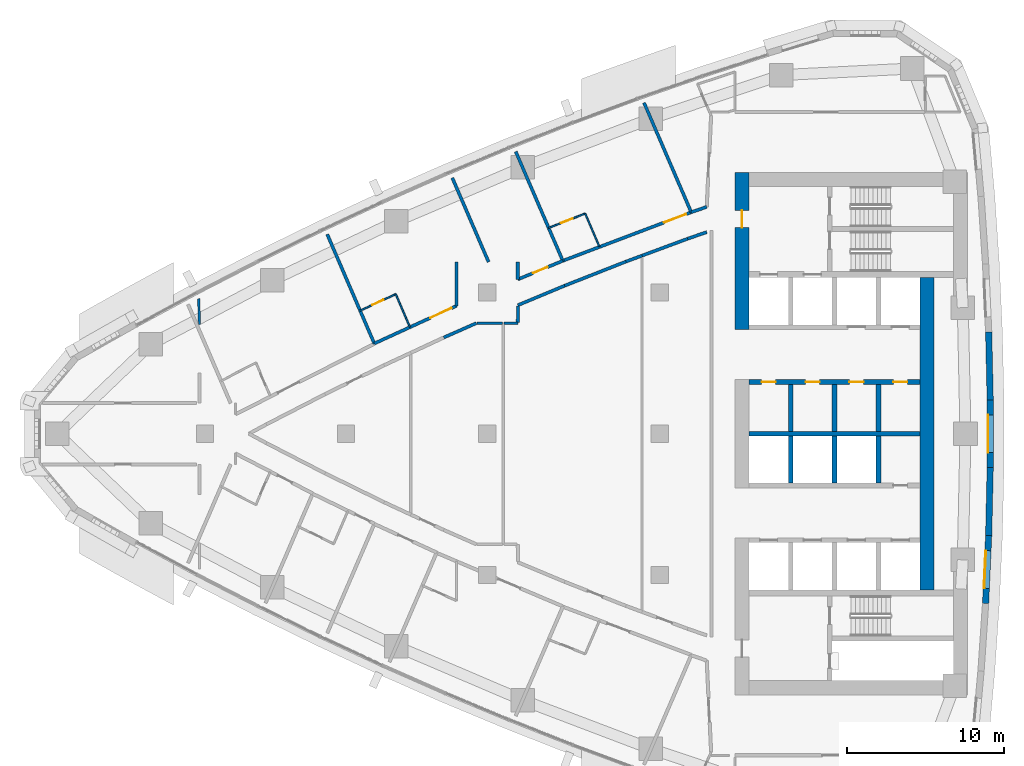
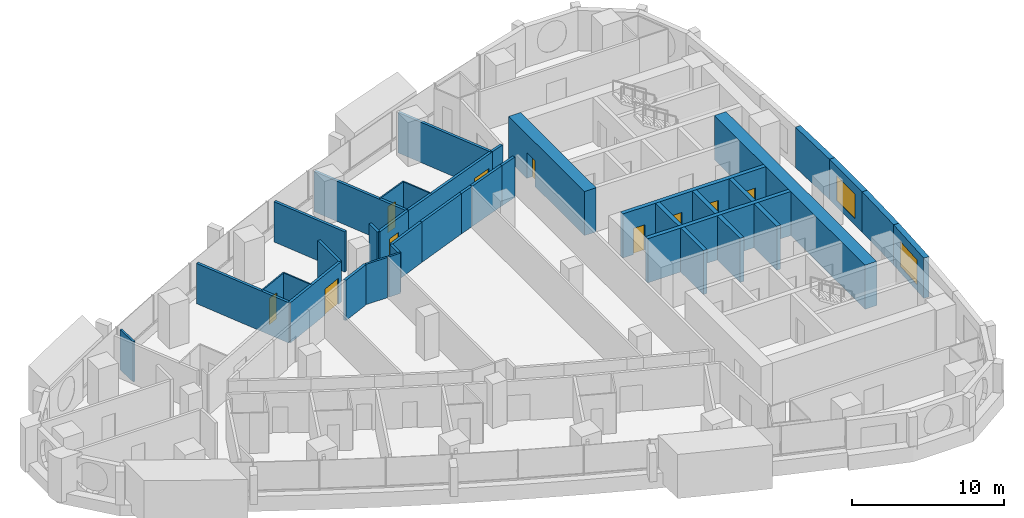
# One storey, part 11 of 17: 38 walls, 10 doors, 2 windows, 12 openings.
"""IFC4 building model written with IfcOpenShell, lengths in metres."""

from ifc_helpers import new_model, si_unit, direction, frame, frame_2d, origin, place, context, subcontext, project, spatial, polyline, rectangle, outline, extrude, material, layer, layer_set, type_object, element, fill, save


model = new_model("IFC4")

# Units and contexts
model_context = context("Model", 3, precision=1e-05, world=origin(), true_north=direction((0.0, 1.0)))
body_context = subcontext(model_context, "Body", "Model", "MODEL_VIEW")
ifc_project = project(units=[si_unit("LENGTHUNIT", "METRE"), si_unit("AREAUNIT", "SQUARE_METRE"), si_unit("VOLUMEUNIT", "CUBIC_METRE"), si_unit("PLANEANGLEUNIT", "RADIAN"), si_unit("MASSUNIT", "GRAM", prefix="KILO")], contexts=[model_context])

# Site, building, storey
site_placement = place(None, origin())
site = spatial("IfcSite", under=ifc_project, at=site_placement, CompositionType="ELEMENT")
building_placement = place(site_placement, origin())
building = spatial("IfcBuilding", under=site, at=building_placement, Name="Ostrand Prow Hotel Tower", CompositionType="ELEMENT")
storey_placement = place(building_placement, frame((0.0, 0.0, 155.050048828125)))
storey = spatial("IfcBuildingStorey", under=building, at=storey_placement, Name="L38", CompositionType="ELEMENT", Elevation=155.050048828125)

# Wall
ifc_material_1 = material(Name="Concrete C70/85", Category="concrete")
ifc_layer_1 = layer(ifc_material_1, 0.300048828125)
ifc_layer_set_1 = layer_set([ifc_layer_1], Name="Concrete C70/85")
wall_type_1 = type_object("IfcWallType", Name="Core wall 300 C70/85", PredefinedType="SHEAR", material=ifc_layer_set_1)
wall_1_placement = place(storey_placement, frame((50.699951171875, 0.0, 0.0), z_axis=(0.0, 0.0, 1.0), x_axis=(1.0, 0.0, 0.0)))
element("IfcWall", 1, at=wall_1_placement, inside=storey, type_object=wall_type_1, Name="Core wall PW-C", PredefinedType="SHEAR", context=body_context, shape_type="SweptSolid", body=[
    extrude(rectangle(XDim=10.900146484375, YDim=0.300048828125, at=frame_2d((5.4501953125, 0.0))), origin(), (0.0, 0.0, 1.0), 3.550048828125),
])

# Wall, openings, doors
wall_2_placement = place(storey_placement, frame((50.699951171875, 3.300048828125, 0.0), z_axis=(0.0, 0.0, 1.0), x_axis=(1.0, 0.0, 0.0)))
wall_2 = element("IfcWall", 2, at=wall_2_placement, inside=storey, type_object=wall_type_1, Name="Core wall PW-L1-N", PredefinedType="SHEAR", context=body_context, shape_type="SweptSolid", body=[
    extrude(rectangle(XDim=10.900146484375, YDim=0.300048828125, at=frame_2d((5.4501953125, 0.0))), origin(), (0.0, 0.0, 1.0), 3.550048828125),
])
opening_1_placement = place(wall_2_placement, frame((0.800048828125, 0.0, 0.0)))
opening_1 = element("IfcOpeningElement", 3, at=opening_1_placement, cuts=wall_2, Name="Opening FD2", PredefinedType="OPENING", context=body_context, shape_type="SweptSolid", body=[
    extrude(rectangle(XDim=0.89990234375, YDim=2.10009765625, at=frame_2d((0.449951171875, 1.050048828125))), frame((0.0, 0.159912109375, 0.0), z_axis=(0.0, -1.0, 0.0), x_axis=(1.0, 0.0, 0.0)), (0.0, 0.0, 1.0), 0.320068359375),
])
opening_2_placement = place(wall_2_placement, frame((3.60009765625, 0.0, 0.0)))
opening_2 = element("IfcOpeningElement", 4, at=opening_2_placement, cuts=wall_2, Name="Opening FD2", PredefinedType="OPENING", context=body_context, shape_type="SweptSolid", body=[
    extrude(rectangle(XDim=0.89990234375, YDim=2.10009765625, at=frame_2d((0.449951171875, 1.050048828125))), frame((0.0, 0.159912109375, 0.0), z_axis=(0.0, -1.0, 0.0), x_axis=(1.0, 0.0, 0.0)), (0.0, 0.0, 1.0), 0.320068359375),
])
opening_3_placement = place(wall_2_placement, frame((6.39990234375, 0.0, 0.0)))
opening_3 = element("IfcOpeningElement", 5, at=opening_3_placement, cuts=wall_2, Name="Opening FD2", PredefinedType="OPENING", context=body_context, shape_type="SweptSolid", body=[
    extrude(rectangle(XDim=0.89990234375, YDim=2.10009765625, at=frame_2d((0.449951171875, 1.050048828125))), frame((0.0, 0.159912109375, 0.0), z_axis=(0.0, -1.0, 0.0), x_axis=(1.0, 0.0, 0.0)), (0.0, 0.0, 1.0), 0.320068359375),
])
opening_4_placement = place(wall_2_placement, frame((9.199951171875, 0.0, 0.0)))
opening_4 = element("IfcOpeningElement", 6, at=opening_4_placement, cuts=wall_2, Name="Opening FD2", PredefinedType="OPENING", context=body_context, shape_type="SweptSolid", body=[
    extrude(rectangle(XDim=0.89990234375, YDim=2.10009765625, at=frame_2d((0.449951171875, 1.050048828125))), frame((0.0, 0.159912109375, 0.0), z_axis=(0.0, -1.0, 0.0), x_axis=(1.0, 0.0, 0.0)), (0.0, 0.0, 1.0), 0.320068359375),
])
ifc_material_2 = material(Name="Steel fire door", Category="steel")
door_type_1 = type_object("IfcDoorType", Name="Fire door 900 EI120", OperationType="SINGLE_SWING_LEFT", PredefinedType="DOOR", material=ifc_material_2)
door_1_placement = place(opening_1_placement, origin())
door_1 = element("IfcDoor", 7, at=door_1_placement, inside=storey, type_object=door_type_1, Name="DOOR", OperationType="SINGLE_SWING_LEFT", OverallHeight=2.10009765625, OverallWidth=0.89990234375, PredefinedType="DOOR", context=body_context, shape_type="SweptSolid", body=[
    extrude(rectangle(XDim=0.89990234375, YDim=2.10009765625, at=frame_2d((0.449951171875, 1.050048828125))), frame((0.0, 0.02490234375, 0.0), z_axis=(0.0, -1.0, 0.0), x_axis=(1.0, 0.0, 0.0)), (0.0, 0.0, 1.0), 0.050048828125),
])
fill(opening_1, door_1)
door_2_placement = place(opening_2_placement, origin())
door_2 = element("IfcDoor", 8, at=door_2_placement, inside=storey, type_object=door_type_1, Name="DOOR", OperationType="SINGLE_SWING_LEFT", OverallHeight=2.10009765625, OverallWidth=0.89990234375, PredefinedType="DOOR", context=body_context, shape_type="SweptSolid", body=[
    extrude(rectangle(XDim=0.89990234375, YDim=2.10009765625, at=frame_2d((0.449951171875, 1.050048828125))), frame((0.0, 0.02490234375, 0.0), z_axis=(0.0, -1.0, 0.0), x_axis=(1.0, 0.0, 0.0)), (0.0, 0.0, 1.0), 0.050048828125),
])
fill(opening_2, door_2)
door_3_placement = place(opening_3_placement, origin())
door_3 = element("IfcDoor", 9, at=door_3_placement, inside=storey, type_object=door_type_1, Name="DOOR", OperationType="SINGLE_SWING_LEFT", OverallHeight=2.10009765625, OverallWidth=0.89990234375, PredefinedType="DOOR", context=body_context, shape_type="SweptSolid", body=[
    extrude(rectangle(XDim=0.89990234375, YDim=2.10009765625, at=frame_2d((0.449951171875, 1.050048828125))), frame((0.0, 0.02490234375, 0.0), z_axis=(0.0, -1.0, 0.0), x_axis=(1.0, 0.0, 0.0)), (0.0, 0.0, 1.0), 0.050048828125),
])
fill(opening_3, door_3)
door_4_placement = place(opening_4_placement, origin())
door_4 = element("IfcDoor", 10, at=door_4_placement, inside=storey, type_object=door_type_1, Name="DOOR", OperationType="SINGLE_SWING_LEFT", OverallHeight=2.10009765625, OverallWidth=0.89990234375, PredefinedType="DOOR", context=body_context, shape_type="SweptSolid", body=[
    extrude(rectangle(XDim=0.89990234375, YDim=2.10009765625, at=frame_2d((0.449951171875, 1.050048828125))), frame((0.0, 0.02490234375, 0.0), z_axis=(0.0, -1.0, 0.0), x_axis=(1.0, 0.0, 0.0)), (0.0, 0.0, 1.0), 0.050048828125),
])
fill(opening_4, door_4)

# Walls
for number, where, z_axis, x_axis, name in (
    (11, (53.35009765625, 0.14990234375, 0.0), (0.0, 0.0, 1.0), (0.0, 1.0, 0.0), "Core wall PW-R1-NB"),
    (12, (56.14990234375, 0.14990234375, 0.0), (0.0, 0.0, 1.0), (0.0, 1.0, 0.0), "Core wall PW-R2-NB"),
    (13, (58.949951171875, 0.14990234375, 0.0), (0.0, 0.0, 1.0), (0.0, 1.0, 0.0), "Core wall PW-R3-NB"),
    (14, (53.35009765625, -3.14990234375, 0.0), (0.0, 0.0, 1.0), (0.0, 1.0, 0.0), "Core wall PW-R1-SB"),
    (15, (56.14990234375, -3.14990234375, 0.0), (0.0, 0.0, 1.0), (0.0, 1.0, 0.0), "Core wall PW-R2-SB"),
    (16, (58.949951171875, -3.14990234375, 0.0), (0.0, 0.0, 1.0), (0.0, 1.0, 0.0), "Core wall PW-R3-SB"),
):
    element("IfcWall", number, at=place(storey_placement, frame(where, z_axis=z_axis, x_axis=x_axis)), inside=storey, type_object=wall_type_1, Name=name, PredefinedType="SHEAR", context=body_context, shape_type="SweptSolid", body=[
        extrude(rectangle(XDim=3.0, YDim=0.300048828125, at=frame_2d((1.5, 0.0))), origin(), (0.0, 0.0, 1.0), 3.550048828125),
    ])

# Wall, opening, door
ifc_material_3 = material(Name="Concrete C70/85", Category="concrete")
ifc_layer_2 = layer(ifc_material_3, 0.89990234375)
ifc_layer_set_2 = layer_set([ifc_layer_2], Name="Concrete C70/85")
wall_type_2 = type_object("IfcWallType", Name="Core wall 900 C70/85", PredefinedType="SHEAR", material=ifc_layer_set_2)
wall_3_placement = place(storey_placement, frame((50.25, 6.64990234375, 0.0), z_axis=(0.0, 0.0, 1.0), x_axis=(0.0, 1.0, 0.0)))
wall_3 = element("IfcWall", 17, at=wall_3_placement, inside=storey, type_object=wall_type_2, Name="Core wall CW-W-N", PredefinedType="SHEAR", context=body_context, shape_type="SweptSolid", body=[
    extrude(rectangle(XDim=10.0, YDim=0.89990234375, at=frame_2d((5.0, 0.0))), origin(), (0.0, 0.0, 1.0), 3.550048828125),
])
opening_5_placement = place(wall_3_placement, frame((6.5, 0.0, 0.0)))
opening_5 = element("IfcOpeningElement", 18, at=opening_5_placement, cuts=wall_3, Name="Opening FD1", PredefinedType="OPENING", context=body_context, shape_type="SweptSolid", body=[
    extrude(rectangle(XDim=1.10009765625, YDim=2.10009765625, at=frame_2d((0.550048828125, 1.050048828125))), frame((0.0, 0.4599609375, 0.0), z_axis=(0.0, -1.0, 0.0), x_axis=(1.0, 0.0, 0.0)), (0.0, 0.0, 1.0), 0.919921875),
])
ifc_material_4 = material(Name="Steel fire door", Category="steel")
door_type_2 = type_object("IfcDoorType", Name="Fire door 1100 EI120", OperationType="SINGLE_SWING_RIGHT", PredefinedType="DOOR", material=ifc_material_4)
door_5_placement = place(opening_5_placement, origin())
door_5 = element("IfcDoor", 19, at=door_5_placement, inside=storey, type_object=door_type_2, Name="FIRE DOOR", OperationType="SINGLE_SWING_RIGHT", OverallHeight=2.10009765625, OverallWidth=1.10009765625, PredefinedType="DOOR", context=body_context, shape_type="SweptSolid", body=[
    extrude(rectangle(XDim=1.10009765625, YDim=2.10009765625, at=frame_2d((0.550048828125, 1.050048828125))), frame((0.0, 0.02490234375, 0.0), z_axis=(0.0, -1.0, 0.0), x_axis=(1.0, 0.0, 0.0)), (0.0, 0.0, 1.0), 0.050048828125),
])
fill(opening_5, door_5)

# Wall
wall_4_placement = place(storey_placement, frame((62.050048828125, -9.949951171875, 0.0), z_axis=(0.0, 0.0, 1.0), x_axis=(0.0, 1.0, 0.0)))
element("IfcWall", 20, at=wall_4_placement, inside=storey, type_object=wall_type_2, Name="Core wall CW-E-C", PredefinedType="SHEAR", context=body_context, shape_type="SweptSolid", body=[
    extrude(rectangle(XDim=19.89990234375, YDim=0.89990234375, at=frame_2d((9.949951171875, 0.0))), origin(), (0.0, 0.0, 1.0), 3.550048828125),
])

# Wall, opening, door
ifc_material_5 = material(Name="Plasterboard partition")
ifc_layer_3 = layer(ifc_material_5, 0.10009765625)
ifc_layer_set_3 = layer_set([ifc_layer_3], Name="Plasterboard partition")
wall_type_3 = type_object("IfcWallType", Name="Partition 100 bathroom wall", PredefinedType="PARTITIONING", material=ifc_layer_set_3)
wall_5_placement = place(storey_placement, frame((25.900146484375, 7.847412109375, 0.0), z_axis=(0.0, 0.0, 1.0), x_axis=(0.906813113059, 0.421532890751, 0.0)))
wall_5 = element("IfcWall", 21, at=wall_5_placement, inside=storey, type_object=wall_type_3, Name="BATHROOM WALL", PredefinedType="PARTITIONING", context=body_context, shape_type="SweptSolid", body=[
    extrude(rectangle(XDim=2.5009765625, YDim=0.10009765625, at=frame_2d((1.25048828125, 0.0))), origin(), (0.0, 0.0, 1.0), 3.25),
])
opening_6_placement = place(wall_5_placement, frame((0.85009765625, 0.0, 0.0)))
opening_6 = element("IfcOpeningElement", 22, at=opening_6_placement, cuts=wall_5, Name="Opening D2", PredefinedType="OPENING", context=body_context, shape_type="SweptSolid", body=[
    extrude(rectangle(XDim=0.800048828125, YDim=2.10009765625, at=frame_2d((0.39990234375, 1.050048828125))), frame((0.0, 0.06005859375, 0.0), z_axis=(0.0, -1.0, 0.0), x_axis=(1.0, 0.0, 0.0)), (0.0, 0.0, 1.0), 0.1201171875),
])
ifc_material_6 = material(Name="Timber door leaf", Category="wood")
door_type_3 = type_object("IfcDoorType", Name="Bathroom door 800", OperationType="SINGLE_SWING_LEFT", PredefinedType="DOOR", material=ifc_material_6)
door_6_placement = place(opening_6_placement, origin())
door_6 = element("IfcDoor", 23, at=door_6_placement, inside=storey, type_object=door_type_3, Name="DOOR", OperationType="SINGLE_SWING_LEFT", OverallHeight=2.10009765625, OverallWidth=0.800048828125, PredefinedType="DOOR", context=body_context, shape_type="SweptSolid", body=[
    extrude(rectangle(XDim=0.800048828125, YDim=2.10009765625, at=frame_2d((0.39990234375, 1.050048828125))), frame((0.0, 0.02490234375, 0.0), z_axis=(0.0, -1.0, 0.0), x_axis=(1.0, 0.0, 0.0)), (0.0, 0.0, 1.0), 0.050048828125),
])
fill(opening_6, door_6)

# Wall
wall_6_placement = place(storey_placement, frame((28.16796875, 8.901611328125, 0.0), z_axis=(0.0, 0.0, 1.0), x_axis=(0.396000751487, -0.918250186399, 0.0)))
element("IfcWall", 24, at=wall_6_placement, inside=storey, type_object=wall_type_3, Name="BATHROOM WALL", PredefinedType="PARTITIONING", context=body_context, shape_type="SweptSolid", body=[
    extrude(rectangle(XDim=2.278076171875, YDim=0.10009765625, at=frame_2d((1.13916015625, 0.0))), origin(), (0.0, 0.0, 1.0), 3.25),
])

# Wall, opening, door
wall_7_placement = place(storey_placement, frame((37.921142578125, 13.122314453125, 0.0), z_axis=(0.0, 0.0, 1.0), x_axis=(0.930555592459, 0.366150637503, 0.0)))
wall_7 = element("IfcWall", 25, at=wall_7_placement, inside=storey, type_object=wall_type_3, Name="BATHROOM WALL", PredefinedType="PARTITIONING", context=body_context, shape_type="SweptSolid", body=[
    extrude(rectangle(XDim=2.5009765625, YDim=0.10009765625, at=frame_2d((1.25048828125, 0.0))), origin(), (0.0, 0.0, 1.0), 3.25),
])
opening_7_placement = place(wall_7_placement, frame((0.85009765625, 0.0, 0.0)))
opening_7 = element("IfcOpeningElement", 26, at=opening_7_placement, cuts=wall_7, Name="Opening D2", PredefinedType="OPENING", context=body_context, shape_type="SweptSolid", body=[
    extrude(rectangle(XDim=0.800048828125, YDim=2.10009765625, at=frame_2d((0.39990234375, 1.050048828125))), frame((0.0, 0.06005859375, 0.0), z_axis=(0.0, -1.0, 0.0), x_axis=(1.0, 0.0, 0.0)), (0.0, 0.0, 1.0), 0.1201171875),
])
door_7_placement = place(opening_7_placement, origin())
door_7 = element("IfcDoor", 27, at=door_7_placement, inside=storey, type_object=door_type_3, Name="DOOR", OperationType="SINGLE_SWING_LEFT", OverallHeight=2.10009765625, OverallWidth=0.800048828125, PredefinedType="DOOR", context=body_context, shape_type="SweptSolid", body=[
    extrude(rectangle(XDim=0.800048828125, YDim=2.10009765625, at=frame_2d((0.39990234375, 1.050048828125))), frame((0.0, 0.02490234375, 0.0), z_axis=(0.0, -1.0, 0.0), x_axis=(1.0, 0.0, 0.0)), (0.0, 0.0, 1.0), 0.050048828125),
])
fill(opening_7, door_7)

# Walls
wall_8_placement = place(storey_placement, frame((40.248779296875, 14.0380859375, 0.0), z_axis=(0.0, 0.0, 1.0), x_axis=(0.39596178423, -0.918266990275, 0.0)))
element("IfcWall", 28, at=wall_8_placement, inside=storey, type_object=wall_type_3, Name="BATHROOM WALL", PredefinedType="PARTITIONING", context=body_context, shape_type="SweptSolid", body=[
    extrude(rectangle(XDim=2.2783203125, YDim=0.10009765625, at=frame_2d((1.13916015625, 0.0))), origin(), (0.0, 0.0, 1.0), 3.25),
])
ifc_material_7 = material(Name="Plasterboard partition")
ifc_layer_4 = layer(ifc_material_7, 0.14990234375)
ifc_layer_set_4 = layer_set([ifc_layer_4], Name="Plasterboard partition")
wall_type_4 = type_object("IfcWallType", Name="Partition 150 room partition", PredefinedType="PARTITIONING", material=ifc_layer_set_4)
wall_9_placement = place(storey_placement, frame((15.603759765625, 8.60888671875, 0.0), z_axis=(0.0, 0.0, 1.0), x_axis=(0.033196927484, -0.999448830109, 0.0)))
element("IfcWall", 29, at=wall_9_placement, inside=storey, type_object=wall_type_4, Name="ROOM PARTITION", PredefinedType="PARTITIONING", context=body_context, shape_type="SweptSolid", body=[
    extrude(rectangle(XDim=1.65478515625, YDim=0.14990234375, at=frame_2d((0.827392578125, 0.0))), origin(), (0.0, 0.0, 1.0), 3.25),
])
wall_10_placement = place(storey_placement, frame((33.347412109375, 7.044921875, 0.0), z_axis=(0.0, 0.0, 1.0), x_axis=(1.0, 0.0, 0.0)))
element("IfcWall", 30, at=wall_10_placement, inside=storey, type_object=wall_type_4, Name="ROOM PARTITION", PredefinedType="PARTITIONING", context=body_context, shape_type="SweptSolid", body=[
    extrude(rectangle(XDim=1.643798828125, YDim=0.14990234375, at=frame_2d((0.82177734375, 0.0))), origin(), (0.0, 0.0, 1.0), 3.25),
])
wall_11_placement = place(storey_placement, frame((35.0712890625, 7.045166015625, 0.0), z_axis=(0.0, 0.0, 1.0), x_axis=(0.999998125229, 0.00193637258, 0.0)))
element("IfcWall", 31, at=wall_11_placement, inside=storey, type_object=wall_type_4, Name="ROOM PARTITION", PredefinedType="PARTITIONING", context=body_context, shape_type="SweptSolid", body=[
    extrude(rectangle(XDim=0.882568359375, YDim=0.14990234375, at=frame_2d((0.44140625, 0.0))), origin(), (0.0, 0.0, 1.0), 3.25),
])

# Wall, opening, door
ifc_material_8 = material(Name="Plasterboard partition")
ifc_layer_5 = layer(ifc_material_8, 0.199951171875)
ifc_layer_set_5 = layer_set([ifc_layer_5], Name="Plasterboard partition")
wall_type_5 = type_object("IfcWallType", Name="Partition 200 corridor wall", PredefinedType="PARTITIONING", material=ifc_layer_set_5)
wall_12_placement = place(storey_placement, frame((32.050048828125, 8.15673828125, 0.0), z_axis=(0.0, 0.0, 1.0), x_axis=(-0.909129571014, -0.41651341288, 0.0)))
wall_12 = element("IfcWall", 32, at=wall_12_placement, inside=storey, type_object=wall_type_5, Name="CORRIDOR WALL", PredefinedType="PARTITIONING", context=body_context, shape_type="SweptSolid", body=[
    extrude(rectangle(XDim=5.771240234375, YDim=0.199951171875, at=frame_2d((2.8857421875, 0.0))), origin(), (0.0, 0.0, 1.0), 3.25),
])
opening_8_placement = place(wall_12_placement, frame((0.35009765625, 0.0, 0.0)))
opening_8 = element("IfcOpeningElement", 33, at=opening_8_placement, cuts=wall_12, Name="Opening D15", PredefinedType="OPENING", context=body_context, shape_type="SweptSolid", body=[
    extrude(rectangle(XDim=1.5, YDim=2.10009765625, at=frame_2d((0.75, 1.050048828125))), frame((0.0, 0.10986328125, 0.0), z_axis=(0.0, -1.0, 0.0), x_axis=(1.0, 0.0, 0.0)), (0.0, 0.0, 1.0), 0.219970703125),
])
ifc_material_9 = material(Name="Timber door leaf", Category="wood")
door_type_4 = type_object("IfcDoorType", Name="Double door 1500", OperationType="DOUBLE_DOOR_SINGLE_SWING", PredefinedType="DOOR", material=ifc_material_9)
door_8_placement = place(opening_8_placement, origin())
door_8 = element("IfcDoor", 34, at=door_8_placement, inside=storey, type_object=door_type_4, Name="DOOR", OperationType="DOUBLE_DOOR_SINGLE_SWING", OverallHeight=2.10009765625, OverallWidth=1.5, PredefinedType="DOOR", context=body_context, shape_type="SweptSolid", body=[
    extrude(rectangle(XDim=1.5, YDim=2.10009765625, at=frame_2d((0.75, 1.050048828125))), frame((0.0, 0.02490234375, 0.0), z_axis=(0.0, -1.0, 0.0), x_axis=(1.0, 0.0, 0.0)), (0.0, 0.0, 1.0), 0.050048828125),
])
fill(opening_8, door_8)

wall_13_placement = place(storey_placement, frame((38.824462890625, 11.027587890625, 0.0), z_axis=(0.0, 0.0, 1.0), x_axis=(-0.924238544028, -0.381815549359, 0.0)))
wall_13 = element("IfcWall", 35, at=wall_13_placement, inside=storey, type_object=wall_type_5, Name="CORRIDOR WALL", PredefinedType="PARTITIONING", context=body_context, shape_type="SweptSolid", body=[
    extrude(rectangle(XDim=3.110107421875, YDim=0.199951171875, at=frame_2d((1.55517578125, 0.0))), origin(), (0.0, 0.0, 1.0), 3.25),
])
opening_9_placement = place(wall_13_placement, frame((1.054931640625, 0.0, 0.0)))
opening_9 = element("IfcOpeningElement", 36, at=opening_9_placement, cuts=wall_13, Name="Opening D1", PredefinedType="OPENING", context=body_context, shape_type="SweptSolid", body=[
    extrude(rectangle(XDim=1.0, YDim=2.10009765625, at=frame_2d((0.5, 1.050048828125))), frame((0.0, 0.10986328125, 0.0), z_axis=(0.0, -1.0, 0.0), x_axis=(1.0, 0.0, 0.0)), (0.0, 0.0, 1.0), 0.219970703125),
])
ifc_material_10 = material(Name="Timber door leaf", Category="wood")
door_type_5 = type_object("IfcDoorType", Name="Guest room door 1000", OperationType="SINGLE_SWING_LEFT", PredefinedType="DOOR", material=ifc_material_10)
door_9_placement = place(opening_9_placement, origin())
door_9 = element("IfcDoor", 37, at=door_9_placement, inside=storey, type_object=door_type_5, Name="DOOR", OperationType="SINGLE_SWING_LEFT", OverallHeight=2.10009765625, OverallWidth=1.0, PredefinedType="DOOR", context=body_context, shape_type="SweptSolid", body=[
    extrude(rectangle(XDim=1.0, YDim=2.10009765625, at=frame_2d((0.5, 1.050048828125))), frame((0.0, 0.02490234375, 0.0), z_axis=(0.0, -1.0, 0.0), x_axis=(1.0, 0.0, 0.0)), (0.0, 0.0, 1.0), 0.050048828125),
])
fill(opening_9, door_9)

wall_14_placement = place(storey_placement, frame((47.012451171875, 14.123779296875, 0.0), z_axis=(0.0, 0.0, 1.0), x_axis=(-0.935360585256, -0.353695597299, 0.0)))
wall_14 = element("IfcWall", 38, at=wall_14_placement, inside=storey, type_object=wall_type_5, Name="CORRIDOR WALL", PredefinedType="PARTITIONING", context=body_context, shape_type="SweptSolid", body=[
    extrude(rectangle(XDim=8.75390625, YDim=0.199951171875, at=frame_2d((4.376953125, 0.0))), origin(), (0.0, 0.0, 1.0), 3.25),
])
opening_10_placement = place(wall_14_placement, frame((0.35009765625, 0.0, 0.0)))
opening_10 = element("IfcOpeningElement", 39, at=opening_10_placement, cuts=wall_14, Name="Opening D15", PredefinedType="OPENING", context=body_context, shape_type="SweptSolid", body=[
    extrude(rectangle(XDim=1.5, YDim=2.10009765625, at=frame_2d((0.75, 1.050048828125))), frame((0.0, 0.10986328125, 0.0), z_axis=(0.0, -1.0, 0.0), x_axis=(1.0, 0.0, 0.0)), (0.0, 0.0, 1.0), 0.219970703125),
])
door_10_placement = place(opening_10_placement, origin())
door_10 = element("IfcDoor", 40, at=door_10_placement, inside=storey, type_object=door_type_4, Name="DOOR", OperationType="DOUBLE_DOOR_SINGLE_SWING", OverallHeight=2.10009765625, OverallWidth=1.5, PredefinedType="DOOR", context=body_context, shape_type="SweptSolid", body=[
    extrude(rectangle(XDim=1.5, YDim=2.10009765625, at=frame_2d((0.75, 1.050048828125))), frame((0.0, 0.02490234375, 0.0), z_axis=(0.0, -1.0, 0.0), x_axis=(1.0, 0.0, 0.0)), (0.0, 0.0, 1.0), 0.050048828125),
])
fill(opening_10, door_10)

# Walls
wall_15_placement = place(storey_placement, frame((31.231201171875, 6.135009765625, 0.0), z_axis=(0.0, 0.0, 1.0), x_axis=(0.915102334452, 0.403221672881, 0.0)))
element("IfcWall", 41, at=wall_15_placement, inside=storey, type_object=wall_type_5, Name="CORRIDOR WALL", PredefinedType="PARTITIONING", context=body_context, shape_type="SweptSolid", body=[
    extrude(rectangle(XDim=2.269287109375, YDim=0.199951171875, at=frame_2d((1.134765625, 0.0))), origin(), (0.0, 0.0, 1.0), 3.25),
])
wall_16_placement = place(storey_placement, frame((35.949951171875, 8.193115234375, 0.0), z_axis=(0.0, 0.0, 1.0), x_axis=(0.923005630596, 0.384786441923, 0.0)))
element("IfcWall", 42, at=wall_16_placement, inside=storey, type_object=wall_type_5, Name="CORRIDOR WALL", PredefinedType="PARTITIONING", context=body_context, shape_type="SweptSolid", body=[
    extrude(rectangle(XDim=3.242919921875, YDim=0.199951171875, at=frame_2d((1.62158203125, 0.0))), origin(), (0.0, 0.0, 1.0), 3.25),
])
wall_17_placement = place(storey_placement, frame((38.943115234375, 9.44091796875, 0.0), z_axis=(0.0, 0.0, 1.0), x_axis=(0.930576677263, 0.36609704688, 0.0)))
element("IfcWall", 43, at=wall_17_placement, inside=storey, type_object=wall_type_5, Name="CORRIDOR WALL", PredefinedType="PARTITIONING", context=body_context, shape_type="SweptSolid", body=[
    extrude(rectangle(XDim=4.1953125, YDim=0.199951171875, at=frame_2d((2.09765625, 0.0))), origin(), (0.0, 0.0, 1.0), 3.25),
])
wall_18_placement = place(storey_placement, frame((42.84716796875, 10.976806640625, 0.0), z_axis=(0.0, 0.0, 1.0), x_axis=(0.93771926553, 0.347393982466, 0.0)))
element("IfcWall", 44, at=wall_18_placement, inside=storey, type_object=wall_type_5, Name="CORRIDOR WALL", PredefinedType="PARTITIONING", context=body_context, shape_type="SweptSolid", body=[
    extrude(rectangle(XDim=1.098388671875, YDim=0.199951171875, at=frame_2d((0.54931640625, 0.0))), origin(), (0.0, 0.0, 1.0), 3.25),
])
wall_19_placement = place(storey_placement, frame((43.877197265625, 11.3583984375, 0.0), z_axis=(0.0, 0.0, 1.0), x_axis=(0.937737348698, 0.347345166739, 0.0)))
element("IfcWall", 45, at=wall_19_placement, inside=storey, type_object=wall_type_5, Name="CORRIDOR WALL", PredefinedType="PARTITIONING", context=body_context, shape_type="SweptSolid", body=[
    extrude(rectangle(XDim=3.096923828125, YDim=0.199951171875, at=frame_2d((1.54833984375, 0.0))), origin(), (0.0, 0.0, 1.0), 3.25),
])
wall_20_placement = place(storey_placement, frame((48.0, 14.467041015625, 0.0), z_axis=(0.0, 0.0, 1.0), x_axis=(-0.944566081842, -0.32832136244, 0.0)))
element("IfcWall", 46, at=wall_20_placement, inside=storey, type_object=wall_type_5, Name="CORRIDOR WALL", PredefinedType="PARTITIONING", context=body_context, shape_type="SweptSolid", body=[
    extrude(rectangle(XDim=1.04541015625, YDim=0.199951171875, at=frame_2d((0.522705078125, 0.0))), origin(), (0.0, 0.0, 1.0), 3.25),
])
wall_21_placement = place(storey_placement, frame((46.78125, 12.43408203125, 0.0), z_axis=(0.0, 0.0, 1.0), x_axis=(0.944517215109, 0.328461916152, 0.0)))
element("IfcWall", 47, at=wall_21_placement, inside=storey, type_object=wall_type_5, Name="CORRIDOR WALL", PredefinedType="PARTITIONING", context=body_context, shape_type="SweptSolid", body=[
    extrude(rectangle(XDim=1.290283203125, YDim=0.199951171875, at=frame_2d((0.64501953125, 0.0))), origin(), (0.0, 0.0, 1.0), 3.25),
])
wall_22_placement = place(storey_placement, frame((35.953857421875, 7.0869140625, 0.0), z_axis=(0.0, 0.0, 1.0), x_axis=(0.001144425893, 0.999999345144, 0.0)))
element("IfcWall", 48, at=wall_22_placement, inside=storey, type_object=wall_type_5, Name="CORRIDOR WALL", PredefinedType="PARTITIONING", context=body_context, shape_type="SweptSolid", body=[
    extrude(rectangle(XDim=1.066650390625, YDim=0.199951171875, at=frame_2d((0.533203125, 0.0))), origin(), (0.0, 0.0, 1.0), 3.25),
])
wall_23_placement = place(storey_placement, frame((32.046875, 10.953857421875, 0.0), z_axis=(0.0, 0.0, 1.0), x_axis=(0.001134676759, -0.999999356254, 0.0)))
element("IfcWall", 49, at=wall_23_placement, inside=storey, type_object=wall_type_5, Name="CORRIDOR WALL", PredefinedType="PARTITIONING", context=body_context, shape_type="SweptSolid", body=[
    extrude(rectangle(XDim=2.797119140625, YDim=0.199951171875, at=frame_2d((1.3984375, 0.0))), origin(), (0.0, 0.0, 1.0), 3.25),
])
wall_24_placement = place(storey_placement, frame((35.949951171875, 9.840087890625, 0.0), z_axis=(0.0, 0.0, 1.0), x_axis=(0.00262983969, 0.999996541966, 0.0)))
element("IfcWall", 50, at=wall_24_placement, inside=storey, type_object=wall_type_5, Name="CORRIDOR WALL", PredefinedType="PARTITIONING", context=body_context, shape_type="SweptSolid", body=[
    extrude(rectangle(XDim=1.114013671875, YDim=0.199951171875, at=frame_2d((0.55712890625, 0.0))), origin(), (0.0, 0.0, 1.0), 3.25),
])
ifc_material_11 = material(Name="Plasterboard partition")
ifc_layer_6 = layer(ifc_material_11, 0.199951171875)
ifc_layer_set_6 = layer_set([ifc_layer_6], Name="Plasterboard partition")
wall_type_6 = type_object("IfcWallType", Name="Partition 200 key partition", PredefinedType="PARTITIONING", material=ifc_layer_set_6)
wall_25_placement = place(storey_placement, frame((26.811279296875, 5.734619140625, 0.0), z_axis=(0.0, 0.0, 1.0), x_axis=(-0.395995556294, 0.918252426839, 0.0)))
element("IfcWall", 51, at=wall_25_placement, inside=storey, type_object=wall_type_6, Name="KEY PARTITION", PredefinedType="PARTITIONING", context=body_context, shape_type="SweptSolid", body=[
    extrude(rectangle(XDim=7.60302734375, YDim=0.199951171875, at=frame_2d((3.801513671875, 0.0))), origin(), (0.0, 0.0, 1.0), 3.25),
])
wall_26_placement = place(storey_placement, frame((34.091552734375, 10.949951171875, 0.0), z_axis=(0.0, 0.0, 1.0), x_axis=(-0.395991607501, 0.918254129742, 0.0)))
element("IfcWall", 52, at=wall_26_placement, inside=storey, type_object=wall_type_6, Name="KEY PARTITION", PredefinedType="PARTITIONING", context=body_context, shape_type="SweptSolid", body=[
    extrude(rectangle(XDim=5.841064453125, YDim=0.199951171875, at=frame_2d((2.92041015625, 0.0))), origin(), (0.0, 0.0, 1.0), 3.25),
])
wall_27_placement = place(storey_placement, frame((38.832275390625, 11.00927734375, 0.0), z_axis=(0.0, 0.0, 1.0), x_axis=(-0.395987603644, 0.918255856371, 0.0)))
element("IfcWall", 53, at=wall_27_placement, inside=storey, type_object=wall_type_6, Name="KEY PARTITION", PredefinedType="PARTITIONING", context=body_context, shape_type="SweptSolid", body=[
    extrude(rectangle(XDim=7.603759765625, YDim=0.199951171875, at=frame_2d((3.8017578125, 0.0))), origin(), (0.0, 0.0, 1.0), 3.25),
])
wall_28_placement = place(storey_placement, frame((47.0205078125, 14.105224609375, 0.0), z_axis=(0.0, 0.0, 1.0), x_axis=(-0.39600636385, 0.918247766014, 0.0)))
element("IfcWall", 54, at=wall_28_placement, inside=storey, type_object=wall_type_6, Name="KEY PARTITION", PredefinedType="PARTITIONING", context=body_context, shape_type="SweptSolid", body=[
    extrude(rectangle(XDim=7.6201171875, YDim=0.199951171875, at=frame_2d((3.81005859375, 0.0))), origin(), (0.0, 0.0, 1.0), 3.25),
])

# Wall, opening, window
ifc_material_12 = material(Name="Precast concrete C40/50", Category="concrete")
ifc_layer_7 = layer(ifc_material_12, 0.39990234375)
ifc_layer_set_7 = layer_set([ifc_layer_7], Name="Precast concrete C40/50")
wall_type_7 = type_object("IfcWallType", Name="Stone-faced precast wall 400 mm", PredefinedType="NOTDEFINED", material=ifc_layer_set_7)
wall_29_placement = place(storey_placement, frame((65.781982421875, -10.81689453125, 0.0), z_axis=(0.0, 0.0, 1.0), x_axis=(0.045228592312, 0.99897666361, 0.0)))
wall_29 = element("IfcWall", 55, at=wall_29_placement, inside=storey, type_object=wall_type_7, Name="Stone-faced wall back 7", PredefinedType="NOTDEFINED", context=body_context, shape_type="SweptSolid", body=[
    extrude(outline(polyline([(-0.002197265625, -0.199951171875), (4.331298828125, -0.199951171875), (4.326904296875, 0.199951171875), (0.002197265625, 0.199951171875), (-0.002197265625, -0.199951171875)])), origin(), (0.0, 0.0, 1.0), 3.25),
])
opening_11_placement = place(wall_29_placement, frame((0.964599609375, 0.0, 0.5)))
opening_11 = element("IfcOpeningElement", 56, at=opening_11_placement, cuts=wall_29, Name="Opening WA1", PredefinedType="OPENING", context=body_context, shape_type="SweptSolid", body=[
    extrude(rectangle(XDim=2.39990234375, YDim=2.0, at=frame_2d((1.199951171875, 1.0))), frame((0.0, 0.2099609375, 0.0), z_axis=(0.0, -1.0, 0.0), x_axis=(1.0, 0.0, 0.0)), (0.0, 0.0, 1.0), 0.419921875),
])
ifc_material_13 = material(Name="Insulated glass in bronze frame", Category="glass")
window_type = type_object("IfcWindowType", Name="Amenity picture window 2400x2000", PartitioningType="SINGLE_PANEL", PredefinedType="WINDOW", material=ifc_material_13)
window_1_placement = place(opening_11_placement, origin())
window_1 = element("IfcWindow", 57, at=window_1_placement, inside=storey, type_object=window_type, Name="Window back 7.1", OverallHeight=2.0, OverallWidth=2.39990234375, PartitioningType="SINGLE_PANEL", PredefinedType="WINDOW", context=body_context, shape_type="SweptSolid", body=[
    extrude(rectangle(XDim=2.39990234375, YDim=2.0, at=frame_2d((1.199951171875, 1.0))), frame((0.0, 0.169921875, 0.0), z_axis=(0.0, -1.0, 0.0), x_axis=(1.0, 0.0, 0.0)), (0.0, 0.0, 1.0), 0.06005859375),
])
fill(opening_11, window_1)

# Wall
wall_30_placement = place(storey_placement, frame((65.977783203125, -6.4921875, 0.0), z_axis=(0.0, 0.0, 1.0), x_axis=(0.02261635063, 0.99974421763, 0.0)))
element("IfcWall", 58, at=wall_30_placement, inside=storey, type_object=wall_type_7, Name="Stone-faced wall back 8", PredefinedType="NOTDEFINED", context=body_context, shape_type="SweptSolid", body=[
    extrude(outline(polyline([(-0.002197265625, -0.199951171875), (4.3310546875, -0.199951171875), (4.32666015625, 0.199951171875), (0.002197265625, 0.199951171875), (-0.002197265625, -0.199951171875)])), origin(), (0.0, 0.0, 1.0), 3.25),
])

# Wall, opening, window
wall_31_placement = place(storey_placement, frame((66.07568359375, -2.16455078125, 0.0), z_axis=(0.0, 0.0, 1.0), x_axis=(0.0, 1.0, 0.0)))
wall_31 = element("IfcWall", 59, at=wall_31_placement, inside=storey, type_object=wall_type_7, Name="Stone-faced wall back 9", PredefinedType="NOTDEFINED", context=body_context, shape_type="SweptSolid", body=[
    extrude(outline(polyline([(-0.002197265625, -0.199951171875), (4.331298828125, -0.199951171875), (4.326904296875, 0.199951171875), (0.002197265625, 0.199951171875), (-0.002197265625, -0.199951171875)])), origin(), (0.0, 0.0, 1.0), 3.25),
])
opening_12_placement = place(wall_31_placement, frame((0.964599609375, 0.0, 0.5)))
opening_12 = element("IfcOpeningElement", 60, at=opening_12_placement, cuts=wall_31, Name="Opening WA1", PredefinedType="OPENING", context=body_context, shape_type="SweptSolid", body=[
    extrude(rectangle(XDim=2.39990234375, YDim=2.0, at=frame_2d((1.199951171875, 1.0))), frame((0.0, 0.2099609375, 0.0), z_axis=(0.0, -1.0, 0.0), x_axis=(1.0, 0.0, 0.0)), (0.0, 0.0, 1.0), 0.419921875),
])
window_2_placement = place(opening_12_placement, origin())
window_2 = element("IfcWindow", 61, at=window_2_placement, inside=storey, type_object=window_type, Name="Window back 9.1", OverallHeight=2.0, OverallWidth=2.39990234375, PartitioningType="SINGLE_PANEL", PredefinedType="WINDOW", context=body_context, shape_type="SweptSolid", body=[
    extrude(rectangle(XDim=2.39990234375, YDim=2.0, at=frame_2d((1.199951171875, 1.0))), frame((0.0, 0.169921875, 0.0), z_axis=(0.0, -1.0, 0.0), x_axis=(1.0, 0.0, 0.0)), (0.0, 0.0, 1.0), 0.06005859375),
])
fill(opening_12, window_2)

# Wall
wall_32_placement = place(storey_placement, frame((66.07568359375, 2.16455078125, 0.0), z_axis=(0.0, 0.0, 1.0), x_axis=(-0.02261635063, 0.99974421763, 0.0)))
element("IfcWall", 62, at=wall_32_placement, inside=storey, type_object=wall_type_7, Name="Stone-faced wall back 10", PredefinedType="NOTDEFINED", context=body_context, shape_type="SweptSolid", body=[
    extrude(outline(polyline([(-0.002197265625, -0.199951171875), (4.3310546875, -0.199951171875), (4.32666015625, 0.199951171875), (0.002197265625, 0.199951171875), (-0.002197265625, -0.199951171875)])), origin(), (0.0, 0.0, 1.0), 3.25),
])

save(model, "model.ifc")
